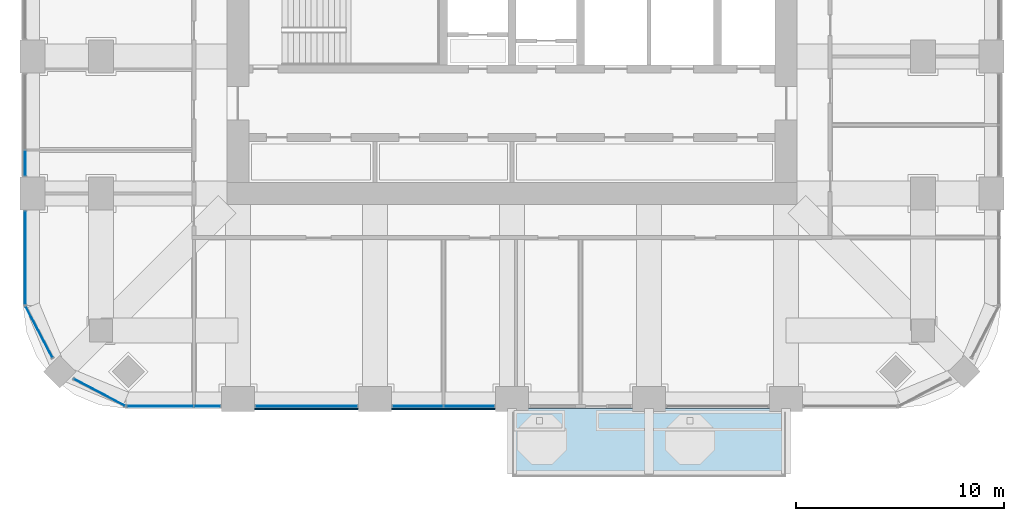
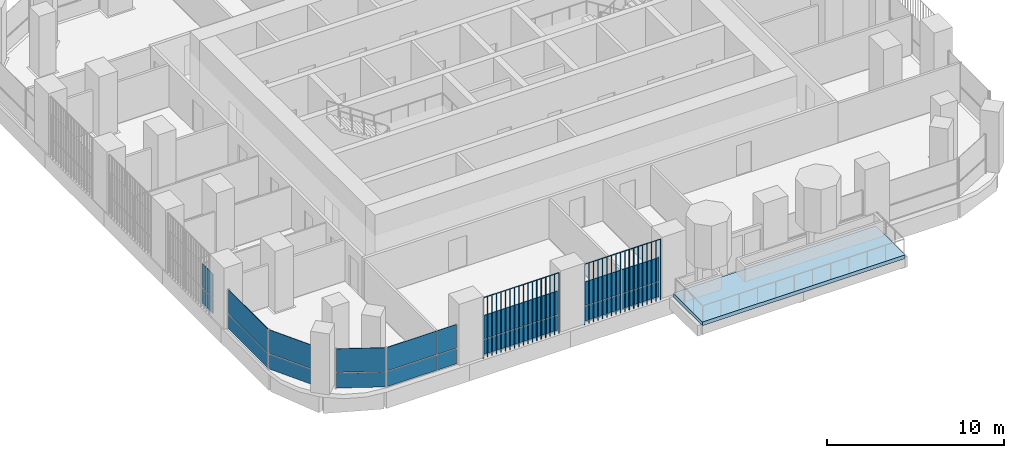
# One storey, part 8 of 19: 20 plates, 1 slab, 7 elements without a shape of their own.
"""IFC4 building model written with IfcOpenShell, lengths in metres."""

from ifc_helpers import new_model, si_unit, direction, frame, origin, origin_2d, place, context, subcontext, project, spatial, polyline, rectangle, outline, extrude, material, layer, layer_set, type_object, element, aggregate, save


model = new_model("IFC4")

# Units and contexts
model_context = context("Model", 3, precision=1e-05, world=origin(), true_north=direction((0.0, 1.0)))
body_context = subcontext(model_context, "Body", "Model", "MODEL_VIEW")
ifc_project = project(units=[si_unit("LENGTHUNIT", "METRE"), si_unit("AREAUNIT", "SQUARE_METRE"), si_unit("VOLUMEUNIT", "CUBIC_METRE"), si_unit("PLANEANGLEUNIT", "RADIAN"), si_unit("MASSUNIT", "GRAM", prefix="KILO")], contexts=[model_context])

# Site, building, storey
site_placement = place(None, origin())
site = spatial("IfcSite", under=ifc_project, at=site_placement, CompositionType="ELEMENT")
building_placement = place(site_placement, origin())
building = spatial("IfcBuilding", under=site, at=building_placement, Name="Cobogo Forest Laboratory Tower", CompositionType="ELEMENT")
storey_placement = place(building_placement, frame((0.0, 0.0, 197.699951171875)))
storey = spatial("IfcBuildingStorey", under=building, at=storey_placement, Name="L45", CompositionType="ELEMENT", Elevation=197.699951171875)

# Slab
ifc_material_1 = material(Name="Concrete HA-40 (C40/50)", Category="concrete")
ifc_layer_1 = layer(ifc_material_1, 0.25)
ifc_layer_set_1 = layer_set([ifc_layer_1], Name="Balcony slab 250")
slab_type = type_object("IfcSlabType", Name="Balcony slab 250", PredefinedType="FLOOR", material=ifc_layer_set_1)
slab_placement = place(storey_placement, frame((0.0, 0.0, -0.25)))
element("IfcSlab", 1, at=slab_placement, inside=storey, type_object=slab_type, Name="Balcony BAL-S1 L45", PredefinedType="FLOOR", context=body_context, shape_type="SweptSolid", body=[
    extrude(outline(polyline([(26.39990234375, -0.449951171875), (39.60009765625, -0.449951171875), (39.60009765625, 2.85009765625), (26.39990234375, 2.85009765625), (26.39990234375, -0.449951171875)])), origin(), (0.0, 0.0, 1.0), 0.25),
])

# Curtain wall, plates
ifc_material_2 = material(Name="Aluminium curtain wall", Category="aluminium")
curtain_wall_type = type_object("IfcCurtainWallType", Name="CW-2 unitised curtain wall, solar control glazing, laboratory floors zones C and D", PredefinedType="USERDEFINED", material=ifc_material_2)
curtain_wall_1_placement = place(storey_placement, origin())
curtain_wall_1 = element("IfcCurtainWall", 2, at=curtain_wall_1_placement, inside=storey, type_object=curtain_wall_type, Name="Curtain wall 01 L45", ObjectType="UNITISED CURTAIN WALL", PredefinedType="USERDEFINED")
ifc_material_3 = material(Name="Solar control insulated glass", Category="glass")
ifc_layer_2 = layer(ifc_material_3, 0.031982421875)
ifc_layer_set_2 = layer_set([ifc_layer_2], Name="GP-2 solar control glass unit 32")
plate_type_1 = type_object("IfcPlateType", Name="GP-2 solar control glass unit 32", PredefinedType="CURTAIN_PANEL", material=ifc_layer_set_2)
plate_1_placement = place(storey_placement, frame((9.452392578125, 2.949951171875, 0.0), z_axis=(0.0, 0.0, 1.0), x_axis=(1.0, 0.0, 0.0)))
plate_1 = element("IfcPlate", 3, at=plate_1_placement, type_object=plate_type_1, Name="CW-2 panel 1.1", PredefinedType="CURTAIN_PANEL", context=body_context, shape_type="SweptSolid", body=[
    extrude(rectangle(XDim=3.18505859375, YDim=0.031982421875, at=origin_2d()), origin(), (0.0, 0.0, 1.0), 1.02001953125),
])
plate_2_placement = place(storey_placement, frame((9.452392578125, 2.949951171875, 1.080078125), z_axis=(0.0, 0.0, 1.0), x_axis=(1.0, 0.0, 0.0)))
plate_2 = element("IfcPlate", 4, at=plate_2_placement, type_object=plate_type_1, Name="CW-2 panel 1.2", PredefinedType="CURTAIN_PANEL", context=body_context, shape_type="SweptSolid", body=[
    extrude(rectangle(XDim=3.18505859375, YDim=0.031982421875, at=origin_2d()), origin(), (0.0, 0.0, 1.0), 1.6201171875),
])
plate_3_placement = place(storey_placement, frame((11.722412109375, 2.949951171875, 0.0), z_axis=(0.0, 0.0, 1.0), x_axis=(1.0, 0.0, 0.0)))
plate_3 = element("IfcPlate", 5, at=plate_3_placement, type_object=plate_type_1, Name="CW-2 panel 2.1", PredefinedType="CURTAIN_PANEL", context=body_context, shape_type="SweptSolid", body=[
    extrude(rectangle(XDim=1.235107421875, YDim=0.031982421875, at=origin_2d()), origin(), (0.0, 0.0, 1.0), 1.02001953125),
])
plate_4_placement = place(storey_placement, frame((11.722412109375, 2.949951171875, 1.080078125), z_axis=(0.0, 0.0, 1.0), x_axis=(1.0, 0.0, 0.0)))
plate_4 = element("IfcPlate", 6, at=plate_4_placement, type_object=plate_type_1, Name="CW-2 panel 2.2", PredefinedType="CURTAIN_PANEL", context=body_context, shape_type="SweptSolid", body=[
    extrude(rectangle(XDim=1.235107421875, YDim=0.031982421875, at=origin_2d()), origin(), (0.0, 0.0, 1.0), 1.6201171875),
])
aggregate(curtain_wall_1, [plate_1, plate_2, plate_3, plate_4])

curtain_wall_2_placement = place(storey_placement, origin())
curtain_wall_2 = element("IfcCurtainWall", 7, at=curtain_wall_2_placement, inside=storey, type_object=curtain_wall_type, Name="Curtain wall 02 L45", ObjectType="UNITISED CURTAIN WALL", PredefinedType="USERDEFINED")
plate_5_placement = place(storey_placement, frame((16.5, 2.949951171875, 0.0), z_axis=(0.0, 0.0, 1.0), x_axis=(1.0, 0.0, 0.0)))
plate_5 = element("IfcPlate", 8, at=plate_5_placement, type_object=plate_type_1, Name="CW-2 panel 1.1", PredefinedType="CURTAIN_PANEL", context=body_context, shape_type="SweptSolid", body=[
    extrude(rectangle(XDim=4.8798828125, YDim=0.031982421875, at=origin_2d()), origin(), (0.0, 0.0, 1.0), 1.02001953125),
])
plate_6_placement = place(storey_placement, frame((16.5, 2.949951171875, 1.080078125), z_axis=(0.0, 0.0, 1.0), x_axis=(1.0, 0.0, 0.0)))
plate_6 = element("IfcPlate", 9, at=plate_6_placement, type_object=plate_type_1, Name="CW-2 panel 1.2", PredefinedType="CURTAIN_PANEL", context=body_context, shape_type="SweptSolid", body=[
    extrude(rectangle(XDim=4.8798828125, YDim=0.031982421875, at=origin_2d()), origin(), (0.0, 0.0, 1.0), 1.6201171875),
])
aggregate(curtain_wall_2, [plate_5, plate_6])

curtain_wall_3_placement = place(storey_placement, origin())
curtain_wall_3 = element("IfcCurtainWall", 10, at=curtain_wall_3_placement, inside=storey, type_object=curtain_wall_type, Name="Curtain wall 03 L45", ObjectType="UNITISED CURTAIN WALL", PredefinedType="USERDEFINED")
plate_7_placement = place(storey_placement, frame((21.864990234375, 2.949951171875, 0.0), z_axis=(0.0, 0.0, 1.0), x_axis=(1.0, 0.0, 0.0)))
plate_7 = element("IfcPlate", 11, at=plate_7_placement, type_object=plate_type_1, Name="CW-2 panel 1.1", PredefinedType="CURTAIN_PANEL", context=body_context, shape_type="SweptSolid", body=[
    extrude(rectangle(XDim=2.409912109375, YDim=0.031982421875, at=origin_2d()), origin(), (0.0, 0.0, 1.0), 1.02001953125),
])
plate_8_placement = place(storey_placement, frame((21.864990234375, 2.949951171875, 1.080078125), z_axis=(0.0, 0.0, 1.0), x_axis=(1.0, 0.0, 0.0)))
plate_8 = element("IfcPlate", 12, at=plate_8_placement, type_object=plate_type_1, Name="CW-2 panel 1.2", PredefinedType="CURTAIN_PANEL", context=body_context, shape_type="SweptSolid", body=[
    extrude(rectangle(XDim=2.409912109375, YDim=0.031982421875, at=origin_2d()), origin(), (0.0, 0.0, 1.0), 1.6201171875),
])
plate_9_placement = place(storey_placement, frame((24.3349609375, 2.949951171875, 0.0), z_axis=(0.0, 0.0, 1.0), x_axis=(1.0, 0.0, 0.0)))
plate_9 = element("IfcPlate", 13, at=plate_9_placement, type_object=plate_type_1, Name="CW-2 panel 2.1", PredefinedType="CURTAIN_PANEL", context=body_context, shape_type="SweptSolid", body=[
    extrude(rectangle(XDim=2.409912109375, YDim=0.031982421875, at=origin_2d()), origin(), (0.0, 0.0, 1.0), 1.02001953125),
])
plate_10_placement = place(storey_placement, frame((24.3349609375, 2.949951171875, 1.080078125), z_axis=(0.0, 0.0, 1.0), x_axis=(1.0, 0.0, 0.0)))
plate_10 = element("IfcPlate", 14, at=plate_10_placement, type_object=plate_type_1, Name="CW-2 panel 2.2", PredefinedType="CURTAIN_PANEL", context=body_context, shape_type="SweptSolid", body=[
    extrude(rectangle(XDim=2.409912109375, YDim=0.031982421875, at=origin_2d()), origin(), (0.0, 0.0, 1.0), 1.6201171875),
])
aggregate(curtain_wall_3, [plate_7, plate_8, plate_9, plate_10])

curtain_wall_4_placement = place(storey_placement, origin())
curtain_wall_4 = element("IfcCurtainWall", 15, at=curtain_wall_4_placement, inside=storey, type_object=curtain_wall_type, Name="Curtain wall 27 L45", ObjectType="UNITISED CURTAIN WALL", PredefinedType="USERDEFINED")
plate_11_placement = place(storey_placement, frame((2.949951171875, 14.6650390625, 0.0), z_axis=(0.0, 0.0, 1.0), x_axis=(0.0, -1.0, 0.0)))
plate_11 = element("IfcPlate", 16, at=plate_11_placement, type_object=plate_type_1, Name="CW-2 panel 2.1", PredefinedType="CURTAIN_PANEL", context=body_context, shape_type="SweptSolid", body=[
    extrude(rectangle(XDim=1.2099609375, YDim=0.031982421875, at=origin_2d()), origin(), (0.0, 0.0, 1.0), 1.02001953125),
])
plate_12_placement = place(storey_placement, frame((2.949951171875, 14.6650390625, 1.080078125), z_axis=(0.0, 0.0, 1.0), x_axis=(0.0, -1.0, 0.0)))
plate_12 = element("IfcPlate", 17, at=plate_12_placement, type_object=plate_type_1, Name="CW-2 panel 2.2", PredefinedType="CURTAIN_PANEL", context=body_context, shape_type="SweptSolid", body=[
    extrude(rectangle(XDim=1.2099609375, YDim=0.031982421875, at=origin_2d()), origin(), (0.0, 0.0, 1.0), 1.6201171875),
])
aggregate(curtain_wall_4, [plate_11, plate_12])

curtain_wall_5_placement = place(storey_placement, origin())
curtain_wall_5 = element("IfcCurtainWall", 18, at=curtain_wall_5_placement, inside=storey, type_object=curtain_wall_type, Name="Curtain wall 28 L45", ObjectType="UNITISED CURTAIN WALL", PredefinedType="USERDEFINED")
plate_13_placement = place(storey_placement, frame((2.949951171875, 10.10009765625, 0.0), z_axis=(0.0, 0.0, 1.0), x_axis=(0.0, -1.0, 0.0)))
plate_13 = element("IfcPlate", 19, at=plate_13_placement, type_object=plate_type_1, Name="CW-2 panel 1.1", PredefinedType="CURTAIN_PANEL", context=body_context, shape_type="SweptSolid", body=[
    extrude(rectangle(XDim=4.47998046875, YDim=0.031982421875, at=origin_2d()), origin(), (0.0, 0.0, 1.0), 1.02001953125),
])
plate_14_placement = place(storey_placement, frame((2.949951171875, 10.10009765625, 1.080078125), z_axis=(0.0, 0.0, 1.0), x_axis=(0.0, -1.0, 0.0)))
plate_14 = element("IfcPlate", 20, at=plate_14_placement, type_object=plate_type_1, Name="CW-2 panel 1.2", PredefinedType="CURTAIN_PANEL", context=body_context, shape_type="SweptSolid", body=[
    extrude(rectangle(XDim=4.47998046875, YDim=0.031982421875, at=origin_2d()), origin(), (0.0, 0.0, 1.0), 1.6201171875),
])
aggregate(curtain_wall_5, [plate_13, plate_14])

curtain_wall_6_placement = place(storey_placement, origin())
curtain_wall_6 = element("IfcCurtainWall", 21, at=curtain_wall_6_placement, inside=storey, type_object=curtain_wall_type, Name="Curtain wall 29 L45", ObjectType="UNITISED CURTAIN WALL", PredefinedType="USERDEFINED")
plate_15_placement = place(storey_placement, frame((3.61865234375, 6.5244140625, 0.0), z_axis=(0.0, 0.0, 1.0), x_axis=(0.464283804832, -0.885686484356, 0.0)))
plate_15 = element("IfcPlate", 22, at=plate_15_placement, type_object=plate_type_1, Name="CW-2 panel 1.1", PredefinedType="CURTAIN_PANEL", context=body_context, shape_type="SweptSolid", body=[
    extrude(rectangle(XDim=2.76025390625, YDim=0.031982421875, at=origin_2d()), origin(), (0.0, 0.0, 1.0), 1.02001953125),
])
plate_16_placement = place(storey_placement, frame((3.61865234375, 6.5244140625, 1.080078125), z_axis=(0.0, 0.0, 1.0), x_axis=(0.464283804832, -0.885686484356, 0.0)))
plate_16 = element("IfcPlate", 23, at=plate_16_placement, type_object=plate_type_1, Name="CW-2 panel 1.2", PredefinedType="CURTAIN_PANEL", context=body_context, shape_type="SweptSolid", body=[
    extrude(rectangle(XDim=2.76025390625, YDim=0.031982421875, at=origin_2d()), origin(), (0.0, 0.0, 1.0), 1.6201171875),
])
aggregate(curtain_wall_6, [plate_15, plate_16])

curtain_wall_7_placement = place(storey_placement, origin())
curtain_wall_7 = element("IfcCurtainWall", 24, at=curtain_wall_7_placement, inside=storey, type_object=curtain_wall_type, Name="Curtain wall 30 L45", ObjectType="UNITISED CURTAIN WALL", PredefinedType="USERDEFINED")
plate_17_placement = place(storey_placement, frame((6.5244140625, 3.61865234375, 0.0), z_axis=(0.0, 0.0, 1.0), x_axis=(0.885686484356, -0.464283804832, 0.0)))
plate_17 = element("IfcPlate", 25, at=plate_17_placement, type_object=plate_type_1, Name="CW-2 panel 1.1", PredefinedType="CURTAIN_PANEL", context=body_context, shape_type="SweptSolid", body=[
    extrude(rectangle(XDim=2.76025390625, YDim=0.031982421875, at=origin_2d()), origin(), (0.0, 0.0, 1.0), 1.02001953125),
])
plate_18_placement = place(storey_placement, frame((6.5244140625, 3.61865234375, 1.080078125), z_axis=(0.0, 0.0, 1.0), x_axis=(0.885686484356, -0.464283804832, 0.0)))
plate_18 = element("IfcPlate", 26, at=plate_18_placement, type_object=plate_type_1, Name="CW-2 panel 1.2", PredefinedType="CURTAIN_PANEL", context=body_context, shape_type="SweptSolid", body=[
    extrude(rectangle(XDim=2.76025390625, YDim=0.031982421875, at=origin_2d()), origin(), (0.0, 0.0, 1.0), 1.6201171875),
])
aggregate(curtain_wall_7, [plate_17, plate_18])

# Plates
ifc_material_4 = material(Name="Terracotta", Category="masonry")
plate_type_2 = type_object("IfcPlateType", Name="TB1 terracotta baguette screen", PredefinedType="USERDEFINED", material=ifc_material_4)
plate_19_placement = place(storey_placement, frame((14.03125, 2.822021484375, -0.14990234375)))
element("IfcPlate", 27, at=plate_19_placement, inside=storey, type_object=plate_type_2, Name="Baguette screen S1 L45", ObjectType="BAGUETTE SCREEN", PredefinedType="USERDEFINED", context=body_context, shape_type="SweptSolid", body=[
    extrude(outline(polyline([(0.02880859375, 0.011962890625), (0.011962890625, 0.02880859375), (-0.011962890625, 0.02880859375), (-0.02880859375, 0.011962890625), (-0.02880859375, -0.011962890625), (-0.011962890625, -0.02880859375), (0.011962890625, -0.02880859375), (0.02880859375, -0.011962890625), (0.02880859375, 0.011962890625)])), frame((0.0, 0.0, 4.168701171875), z_axis=(1.0, 0.0, 0.0), x_axis=(0.0, 1.0, 0.0)), (0.0, 0.0, 1.0), 4.9375),
    extrude(outline(polyline([(0.02880859375, 0.011962890625), (0.011962890625, 0.02880859375), (-0.011962890625, 0.02880859375), (-0.02880859375, 0.011962890625), (-0.02880859375, -0.011962890625), (-0.011962890625, -0.02880859375), (0.011962890625, -0.02880859375), (0.02880859375, -0.011962890625), (0.02880859375, 0.011962890625)])), origin(), (0.0, 0.0, 1.0), 4.137451171875),
    extrude(outline(polyline([(0.02880859375, 0.011962890625), (0.011962890625, 0.02880859375), (-0.011962890625, 0.02880859375), (-0.02880859375, 0.011962890625), (-0.02880859375, -0.011962890625), (-0.011962890625, -0.02880859375), (0.011962890625, -0.02880859375), (0.02880859375, -0.011962890625), (0.02880859375, 0.011962890625)])), frame((0.29052734375, 0.0, 0.0)), (0.0, 0.0, 1.0), 4.137451171875),
    extrude(outline(polyline([(0.02880859375, 0.011962890625), (0.011962890625, 0.02880859375), (-0.011962890625, 0.02880859375), (-0.02880859375, 0.011962890625), (-0.02880859375, -0.011962890625), (-0.011962890625, -0.02880859375), (0.011962890625, -0.02880859375), (0.02880859375, -0.011962890625), (0.02880859375, 0.011962890625)])), frame((0.580810546875, 0.0, 0.0)), (0.0, 0.0, 1.0), 4.137451171875),
    extrude(outline(polyline([(0.02880859375, 0.011962890625), (0.011962890625, 0.02880859375), (-0.011962890625, 0.02880859375), (-0.02880859375, 0.011962890625), (-0.02880859375, -0.011962890625), (-0.011962890625, -0.02880859375), (0.011962890625, -0.02880859375), (0.02880859375, -0.011962890625), (0.02880859375, 0.011962890625)])), frame((0.871337890625, 0.0, 0.0)), (0.0, 0.0, 1.0), 4.137451171875),
    extrude(outline(polyline([(0.02880859375, 0.011962890625), (0.011962890625, 0.02880859375), (-0.011962890625, 0.02880859375), (-0.02880859375, 0.011962890625), (-0.02880859375, -0.011962890625), (-0.011962890625, -0.02880859375), (0.011962890625, -0.02880859375), (0.02880859375, -0.011962890625), (0.02880859375, 0.011962890625)])), frame((1.161865234375, 0.0, 0.0)), (0.0, 0.0, 1.0), 4.137451171875),
    extrude(outline(polyline([(0.02880859375, 0.011962890625), (0.011962890625, 0.02880859375), (-0.011962890625, 0.02880859375), (-0.02880859375, 0.011962890625), (-0.02880859375, -0.011962890625), (-0.011962890625, -0.02880859375), (0.011962890625, -0.02880859375), (0.02880859375, -0.011962890625), (0.02880859375, 0.011962890625)])), frame((1.4521484375, 0.0, 0.0)), (0.0, 0.0, 1.0), 4.137451171875),
    extrude(outline(polyline([(0.02880859375, 0.011962890625), (0.011962890625, 0.02880859375), (-0.011962890625, 0.02880859375), (-0.02880859375, 0.011962890625), (-0.02880859375, -0.011962890625), (-0.011962890625, -0.02880859375), (0.011962890625, -0.02880859375), (0.02880859375, -0.011962890625), (0.02880859375, 0.011962890625)])), frame((1.74267578125, 0.0, 0.0)), (0.0, 0.0, 1.0), 4.137451171875),
    extrude(outline(polyline([(0.02880859375, 0.011962890625), (0.011962890625, 0.02880859375), (-0.011962890625, 0.02880859375), (-0.02880859375, 0.011962890625), (-0.02880859375, -0.011962890625), (-0.011962890625, -0.02880859375), (0.011962890625, -0.02880859375), (0.02880859375, -0.011962890625), (0.02880859375, 0.011962890625)])), frame((2.033203125, 0.0, 0.0)), (0.0, 0.0, 1.0), 4.137451171875),
    extrude(outline(polyline([(0.02880859375, 0.011962890625), (0.011962890625, 0.02880859375), (-0.011962890625, 0.02880859375), (-0.02880859375, 0.011962890625), (-0.02880859375, -0.011962890625), (-0.011962890625, -0.02880859375), (0.011962890625, -0.02880859375), (0.02880859375, -0.011962890625), (0.02880859375, 0.011962890625)])), frame((2.323486328125, 0.0, 0.0)), (0.0, 0.0, 1.0), 4.137451171875),
    extrude(outline(polyline([(0.02880859375, 0.011962890625), (0.011962890625, 0.02880859375), (-0.011962890625, 0.02880859375), (-0.02880859375, 0.011962890625), (-0.02880859375, -0.011962890625), (-0.011962890625, -0.02880859375), (0.011962890625, -0.02880859375), (0.02880859375, -0.011962890625), (0.02880859375, 0.011962890625)])), frame((2.614013671875, 0.0, 0.0)), (0.0, 0.0, 1.0), 4.137451171875),
    extrude(outline(polyline([(0.02880859375, 0.011962890625), (0.011962890625, 0.02880859375), (-0.011962890625, 0.02880859375), (-0.02880859375, 0.011962890625), (-0.02880859375, -0.011962890625), (-0.011962890625, -0.02880859375), (0.011962890625, -0.02880859375), (0.02880859375, -0.011962890625), (0.02880859375, 0.011962890625)])), frame((2.904296875, 0.0, 0.0)), (0.0, 0.0, 1.0), 4.137451171875),
    extrude(outline(polyline([(0.02880859375, 0.011962890625), (0.011962890625, 0.02880859375), (-0.011962890625, 0.02880859375), (-0.02880859375, 0.011962890625), (-0.02880859375, -0.011962890625), (-0.011962890625, -0.02880859375), (0.011962890625, -0.02880859375), (0.02880859375, -0.011962890625), (0.02880859375, 0.011962890625)])), frame((3.19482421875, 0.0, 0.0)), (0.0, 0.0, 1.0), 4.137451171875),
    extrude(outline(polyline([(0.02880859375, 0.011962890625), (0.011962890625, 0.02880859375), (-0.011962890625, 0.02880859375), (-0.02880859375, 0.011962890625), (-0.02880859375, -0.011962890625), (-0.011962890625, -0.02880859375), (0.011962890625, -0.02880859375), (0.02880859375, -0.011962890625), (0.02880859375, 0.011962890625)])), frame((3.4853515625, 0.0, 0.0)), (0.0, 0.0, 1.0), 4.137451171875),
    extrude(outline(polyline([(0.02880859375, 0.011962890625), (0.011962890625, 0.02880859375), (-0.011962890625, 0.02880859375), (-0.02880859375, 0.011962890625), (-0.02880859375, -0.011962890625), (-0.011962890625, -0.02880859375), (0.011962890625, -0.02880859375), (0.02880859375, -0.011962890625), (0.02880859375, 0.011962890625)])), frame((3.775634765625, 0.0, 0.0)), (0.0, 0.0, 1.0), 4.137451171875),
    extrude(outline(polyline([(0.02880859375, 0.011962890625), (0.011962890625, 0.02880859375), (-0.011962890625, 0.02880859375), (-0.02880859375, 0.011962890625), (-0.02880859375, -0.011962890625), (-0.011962890625, -0.02880859375), (0.011962890625, -0.02880859375), (0.02880859375, -0.011962890625), (0.02880859375, 0.011962890625)])), frame((4.066162109375, 0.0, 0.0)), (0.0, 0.0, 1.0), 4.137451171875),
    extrude(outline(polyline([(0.02880859375, 0.011962890625), (0.011962890625, 0.02880859375), (-0.011962890625, 0.02880859375), (-0.02880859375, 0.011962890625), (-0.02880859375, -0.011962890625), (-0.011962890625, -0.02880859375), (0.011962890625, -0.02880859375), (0.02880859375, -0.011962890625), (0.02880859375, 0.011962890625)])), frame((4.356689453125, 0.0, 0.0)), (0.0, 0.0, 1.0), 4.137451171875),
    extrude(outline(polyline([(0.02880859375, 0.011962890625), (0.011962890625, 0.02880859375), (-0.011962890625, 0.02880859375), (-0.02880859375, 0.011962890625), (-0.02880859375, -0.011962890625), (-0.011962890625, -0.02880859375), (0.011962890625, -0.02880859375), (0.02880859375, -0.011962890625), (0.02880859375, 0.011962890625)])), frame((4.64697265625, 0.0, 0.0)), (0.0, 0.0, 1.0), 4.137451171875),
    extrude(outline(polyline([(0.02880859375, 0.011962890625), (0.011962890625, 0.02880859375), (-0.011962890625, 0.02880859375), (-0.02880859375, 0.011962890625), (-0.02880859375, -0.011962890625), (-0.011962890625, -0.02880859375), (0.011962890625, -0.02880859375), (0.02880859375, -0.011962890625), (0.02880859375, 0.011962890625)])), frame((4.9375, 0.0, 0.0)), (0.0, 0.0, 1.0), 4.137451171875),
])
plate_20_placement = place(storey_placement, frame((20.63134765625, 2.822021484375, -0.14990234375)))
element("IfcPlate", 28, at=plate_20_placement, inside=storey, type_object=plate_type_2, Name="Baguette screen S2 L45", ObjectType="BAGUETTE SCREEN", PredefinedType="USERDEFINED", context=body_context, shape_type="SweptSolid", body=[
    extrude(outline(polyline([(0.02880859375, 0.011962890625), (0.011962890625, 0.02880859375), (-0.011962890625, 0.02880859375), (-0.02880859375, 0.011962890625), (-0.02880859375, -0.011962890625), (-0.011962890625, -0.02880859375), (0.011962890625, -0.02880859375), (0.02880859375, -0.011962890625), (0.02880859375, 0.011962890625)])), frame((0.0, 0.0, 4.168701171875), z_axis=(1.0, 0.0, 0.0), x_axis=(0.0, 1.0, 0.0)), (0.0, 0.0, 1.0), 4.9375),
    extrude(outline(polyline([(0.02880859375, 0.011962890625), (0.011962890625, 0.02880859375), (-0.011962890625, 0.02880859375), (-0.02880859375, 0.011962890625), (-0.02880859375, -0.011962890625), (-0.011962890625, -0.02880859375), (0.011962890625, -0.02880859375), (0.02880859375, -0.011962890625), (0.02880859375, 0.011962890625)])), origin(), (0.0, 0.0, 1.0), 4.137451171875),
    extrude(outline(polyline([(0.02880859375, 0.011962890625), (0.011962890625, 0.02880859375), (-0.011962890625, 0.02880859375), (-0.02880859375, 0.011962890625), (-0.02880859375, -0.011962890625), (-0.011962890625, -0.02880859375), (0.011962890625, -0.02880859375), (0.02880859375, -0.011962890625), (0.02880859375, 0.011962890625)])), frame((0.29052734375, 0.0, 0.0)), (0.0, 0.0, 1.0), 4.137451171875),
    extrude(outline(polyline([(0.02880859375, 0.011962890625), (0.011962890625, 0.02880859375), (-0.011962890625, 0.02880859375), (-0.02880859375, 0.011962890625), (-0.02880859375, -0.011962890625), (-0.011962890625, -0.02880859375), (0.011962890625, -0.02880859375), (0.02880859375, -0.011962890625), (0.02880859375, 0.011962890625)])), frame((0.580810546875, 0.0, 0.0)), (0.0, 0.0, 1.0), 4.137451171875),
    extrude(outline(polyline([(0.02880859375, 0.011962890625), (0.011962890625, 0.02880859375), (-0.011962890625, 0.02880859375), (-0.02880859375, 0.011962890625), (-0.02880859375, -0.011962890625), (-0.011962890625, -0.02880859375), (0.011962890625, -0.02880859375), (0.02880859375, -0.011962890625), (0.02880859375, 0.011962890625)])), frame((0.871337890625, 0.0, 0.0)), (0.0, 0.0, 1.0), 4.137451171875),
    extrude(outline(polyline([(0.02880859375, 0.011962890625), (0.011962890625, 0.02880859375), (-0.011962890625, 0.02880859375), (-0.02880859375, 0.011962890625), (-0.02880859375, -0.011962890625), (-0.011962890625, -0.02880859375), (0.011962890625, -0.02880859375), (0.02880859375, -0.011962890625), (0.02880859375, 0.011962890625)])), frame((1.161865234375, 0.0, 0.0)), (0.0, 0.0, 1.0), 4.137451171875),
    extrude(outline(polyline([(0.02880859375, 0.011962890625), (0.011962890625, 0.02880859375), (-0.011962890625, 0.02880859375), (-0.02880859375, 0.011962890625), (-0.02880859375, -0.011962890625), (-0.011962890625, -0.02880859375), (0.011962890625, -0.02880859375), (0.02880859375, -0.011962890625), (0.02880859375, 0.011962890625)])), frame((1.4521484375, 0.0, 0.0)), (0.0, 0.0, 1.0), 4.137451171875),
    extrude(outline(polyline([(0.02880859375, 0.011962890625), (0.011962890625, 0.02880859375), (-0.011962890625, 0.02880859375), (-0.02880859375, 0.011962890625), (-0.02880859375, -0.011962890625), (-0.011962890625, -0.02880859375), (0.011962890625, -0.02880859375), (0.02880859375, -0.011962890625), (0.02880859375, 0.011962890625)])), frame((1.74267578125, 0.0, 0.0)), (0.0, 0.0, 1.0), 4.137451171875),
    extrude(outline(polyline([(0.02880859375, 0.011962890625), (0.011962890625, 0.02880859375), (-0.011962890625, 0.02880859375), (-0.02880859375, 0.011962890625), (-0.02880859375, -0.011962890625), (-0.011962890625, -0.02880859375), (0.011962890625, -0.02880859375), (0.02880859375, -0.011962890625), (0.02880859375, 0.011962890625)])), frame((2.033203125, 0.0, 0.0)), (0.0, 0.0, 1.0), 4.137451171875),
    extrude(outline(polyline([(0.02880859375, 0.011962890625), (0.011962890625, 0.02880859375), (-0.011962890625, 0.02880859375), (-0.02880859375, 0.011962890625), (-0.02880859375, -0.011962890625), (-0.011962890625, -0.02880859375), (0.011962890625, -0.02880859375), (0.02880859375, -0.011962890625), (0.02880859375, 0.011962890625)])), frame((2.323486328125, 0.0, 0.0)), (0.0, 0.0, 1.0), 4.137451171875),
    extrude(outline(polyline([(0.02880859375, 0.011962890625), (0.011962890625, 0.02880859375), (-0.011962890625, 0.02880859375), (-0.02880859375, 0.011962890625), (-0.02880859375, -0.011962890625), (-0.011962890625, -0.02880859375), (0.011962890625, -0.02880859375), (0.02880859375, -0.011962890625), (0.02880859375, 0.011962890625)])), frame((2.614013671875, 0.0, 0.0)), (0.0, 0.0, 1.0), 4.137451171875),
    extrude(outline(polyline([(0.02880859375, 0.011962890625), (0.011962890625, 0.02880859375), (-0.011962890625, 0.02880859375), (-0.02880859375, 0.011962890625), (-0.02880859375, -0.011962890625), (-0.011962890625, -0.02880859375), (0.011962890625, -0.02880859375), (0.02880859375, -0.011962890625), (0.02880859375, 0.011962890625)])), frame((2.904296875, 0.0, 0.0)), (0.0, 0.0, 1.0), 4.137451171875),
    extrude(outline(polyline([(0.02880859375, 0.011962890625), (0.011962890625, 0.02880859375), (-0.011962890625, 0.02880859375), (-0.02880859375, 0.011962890625), (-0.02880859375, -0.011962890625), (-0.011962890625, -0.02880859375), (0.011962890625, -0.02880859375), (0.02880859375, -0.011962890625), (0.02880859375, 0.011962890625)])), frame((3.19482421875, 0.0, 0.0)), (0.0, 0.0, 1.0), 4.137451171875),
    extrude(outline(polyline([(0.02880859375, 0.011962890625), (0.011962890625, 0.02880859375), (-0.011962890625, 0.02880859375), (-0.02880859375, 0.011962890625), (-0.02880859375, -0.011962890625), (-0.011962890625, -0.02880859375), (0.011962890625, -0.02880859375), (0.02880859375, -0.011962890625), (0.02880859375, 0.011962890625)])), frame((3.4853515625, 0.0, 0.0)), (0.0, 0.0, 1.0), 4.137451171875),
    extrude(outline(polyline([(0.02880859375, 0.011962890625), (0.011962890625, 0.02880859375), (-0.011962890625, 0.02880859375), (-0.02880859375, 0.011962890625), (-0.02880859375, -0.011962890625), (-0.011962890625, -0.02880859375), (0.011962890625, -0.02880859375), (0.02880859375, -0.011962890625), (0.02880859375, 0.011962890625)])), frame((3.775634765625, 0.0, 0.0)), (0.0, 0.0, 1.0), 4.137451171875),
    extrude(outline(polyline([(0.02880859375, 0.011962890625), (0.011962890625, 0.02880859375), (-0.011962890625, 0.02880859375), (-0.02880859375, 0.011962890625), (-0.02880859375, -0.011962890625), (-0.011962890625, -0.02880859375), (0.011962890625, -0.02880859375), (0.02880859375, -0.011962890625), (0.02880859375, 0.011962890625)])), frame((4.066162109375, 0.0, 0.0)), (0.0, 0.0, 1.0), 4.137451171875),
    extrude(outline(polyline([(0.02880859375, 0.011962890625), (0.011962890625, 0.02880859375), (-0.011962890625, 0.02880859375), (-0.02880859375, 0.011962890625), (-0.02880859375, -0.011962890625), (-0.011962890625, -0.02880859375), (0.011962890625, -0.02880859375), (0.02880859375, -0.011962890625), (0.02880859375, 0.011962890625)])), frame((4.356689453125, 0.0, 0.0)), (0.0, 0.0, 1.0), 4.137451171875),
    extrude(outline(polyline([(0.02880859375, 0.011962890625), (0.011962890625, 0.02880859375), (-0.011962890625, 0.02880859375), (-0.02880859375, 0.011962890625), (-0.02880859375, -0.011962890625), (-0.011962890625, -0.02880859375), (0.011962890625, -0.02880859375), (0.02880859375, -0.011962890625), (0.02880859375, 0.011962890625)])), frame((4.64697265625, 0.0, 0.0)), (0.0, 0.0, 1.0), 4.137451171875),
    extrude(outline(polyline([(0.02880859375, 0.011962890625), (0.011962890625, 0.02880859375), (-0.011962890625, 0.02880859375), (-0.02880859375, 0.011962890625), (-0.02880859375, -0.011962890625), (-0.011962890625, -0.02880859375), (0.011962890625, -0.02880859375), (0.02880859375, -0.011962890625), (0.02880859375, 0.011962890625)])), frame((4.9375, 0.0, 0.0)), (0.0, 0.0, 1.0), 4.137451171875),
])

save(model, "model.ifc")
